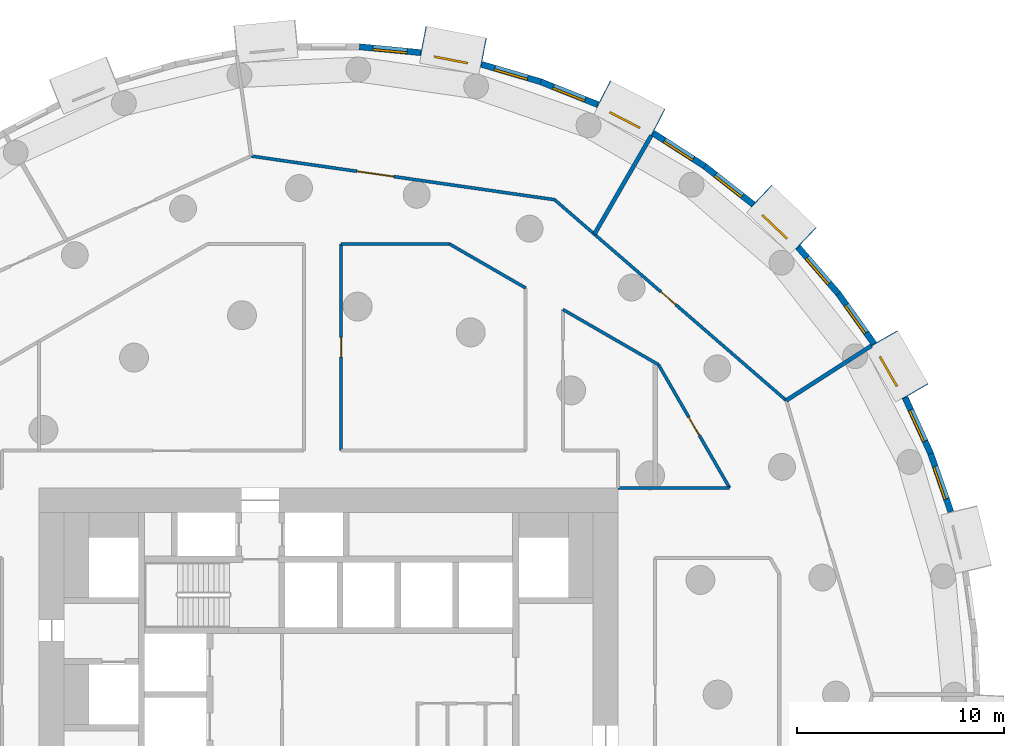
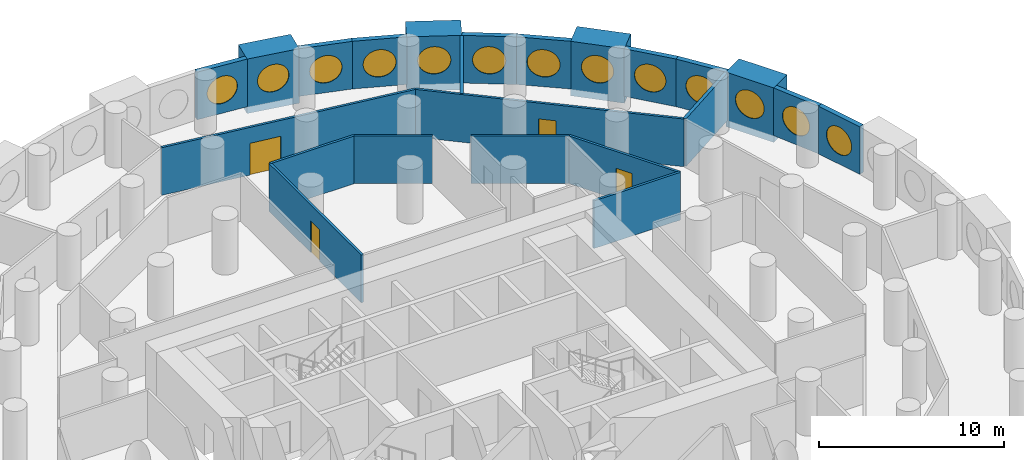
# One storey, part 9 of 11: 23 walls, 13 windows, 4 doors, 17 openings.
"""IFC4 building model written with IfcOpenShell, lengths in metres."""

import ifcopenshell
import ifcopenshell.guid

model = None  # the IFC model being written
_history = None  # IfcOwnerHistory: only IFC2X3 demands one
_inside = {}  # id of a spatial element -> (the spatial element, [elements in it])
_under = {}  # id of a project, library or spatial element -> (it, [spatial elements below it])
_declared = {}  # id of a project -> (the project, [libraries it declares])
_typed = {}  # id of a type object -> (the type object, [elements of that type])
_made_of = {}  # id of a material, layer set ... -> (it, [elements and type objects made of it])


def new_model(schema):
    """Start an empty IFC model of exactly this schema.

    Asked for "IFC4X3", IfcOpenShell would pick the latest addendum, in which some entities
    have other attributes; the version numbers below select the first issue.
    IFC2X3 requires an IfcOwnerHistory on every rooted entity: one is made here for all.
    """
    global model, _history
    if schema == "IFC4X3":
        model = ifcopenshell.file(schema_version=(4, 3, 0, 0))
    else:
        model = ifcopenshell.file(schema=schema)
    _inside.clear()
    _under.clear()
    _declared.clear()
    _typed.clear()
    _made_of.clear()
    _history = None
    if model.schema == "IFC2X3":
        org = make("IfcOrganization", Name="unknown")
        user = make(
            "IfcPersonAndOrganization",
            ThePerson=make("IfcPerson", FamilyName="unknown"),
            TheOrganization=org,
        )
        app = make(
            "IfcApplication",
            ApplicationDeveloper=org,
            Version="unknown",
            ApplicationFullName="unknown",
            ApplicationIdentifier="unknown",
        )
        _history = make(
            "IfcOwnerHistory",
            OwningUser=user,
            OwningApplication=app,
            ChangeAction="ADDED",
            CreationDate=0,
        )
    return model


def make(cls, **values):
    """One entity of the class cls with the attributes given. An attribute that is None is left unset."""
    return model.create_entity(
        cls, **{name: value for name, value in values.items() if value is not None}
    )


def rooted(cls, **values):
    """An entity with a GlobalId (a new one), such as an element, a storey or a relation."""
    return make(cls, GlobalId=ifcopenshell.guid.new(), OwnerHistory=_history, **values)


def si_unit(unit_type, name, prefix=None):
    """IfcSIUnit, for example si_unit("LENGTHUNIT", "METRE", prefix="MILLI")."""
    return make("IfcSIUnit", UnitType=unit_type, Prefix=prefix, Name=name)


def assignment(units):
    """IfcUnitAssignment: the units of a project."""
    return None if units is None else make("IfcUnitAssignment", Units=units)


def point(xyz):
    """IfcCartesianPoint."""
    return None if xyz is None else make("IfcCartesianPoint", Coordinates=xyz)


def direction(xyz):
    """IfcDirection."""
    return None if xyz is None else make("IfcDirection", DirectionRatios=xyz)


def frame(location, z_axis=None, x_axis=None):
    """IfcAxis2Placement3D, a coordinate frame: its origin and axes. An axis left out is left unset."""
    return make(
        "IfcAxis2Placement3D",
        Location=point(location),
        Axis=direction(z_axis),
        RefDirection=direction(x_axis),
    )


def frame_2d(location, x_axis=None):
    """IfcAxis2Placement2D, a coordinate frame in the plane: its origin and x axis."""
    return make(
        "IfcAxis2Placement2D", Location=point(location), RefDirection=direction(x_axis)
    )


def origin():
    """The frame at (0, 0, 0) with its axes left unset."""
    return frame((0.0, 0.0, 0.0))


def origin_2d():
    """The frame at (0, 0) in the plane with its x axis left unset."""
    return frame_2d((0.0, 0.0))


def place(relative_to, where):
    """IfcLocalPlacement: puts the frame where relative to a parent placement (None: the world)."""
    return make(
        "IfcLocalPlacement", PlacementRelTo=relative_to, RelativePlacement=where
    )


def context(
    kind, dimensions, precision=None, world=None, true_north=None, identifier=None
):
    """IfcGeometricRepresentationContext, for example the 3D "Model" context."""
    return make(
        "IfcGeometricRepresentationContext",
        ContextIdentifier=identifier,
        ContextType=kind,
        CoordinateSpaceDimension=dimensions,
        Precision=precision,
        WorldCoordinateSystem=world,
        TrueNorth=true_north,
    )


def subcontext(parent, identifier, kind, view, scale=None):
    """IfcGeometricRepresentationSubContext, for example "Body" below "Model"."""
    return make(
        "IfcGeometricRepresentationSubContext",
        ContextIdentifier=identifier,
        ContextType=kind,
        ParentContext=parent,
        TargetScale=scale,
        TargetView=view,
    )


def project(units=None, contexts=None):
    """IfcProject with its units and contexts."""
    return rooted(
        "IfcProject",
        Name="project",
        RepresentationContexts=contexts,
        UnitsInContext=assignment(units),
    )


def spatial(cls, under=None, at=None, **own):
    """A site, building, storey or space (cls), placed at a placement, below another one or the project."""
    s = rooted(cls, ObjectPlacement=at, **own)
    if under is not None:
        _under.setdefault(under.id(), (under, []))[1].append(s)
    return s


def profile(cls, at=None, kind="AREA", **sizes):
    """A parametric profile (cls). Its sizes go by their IFC names, for example OverallWidth=200.0."""
    return make(cls, ProfileType=kind, Position=at, **sizes)


def rectangle(**sizes):
    """IfcRectangleProfileDef."""
    return profile("IfcRectangleProfileDef", **sizes)


def circle(**sizes):
    """IfcCircleProfileDef."""
    return profile("IfcCircleProfileDef", **sizes)


def extrude(swept, where, along, depth):
    """IfcExtrudedAreaSolid: the profile swept, set in the frame where, extruded along a direction by depth."""
    return make(
        "IfcExtrudedAreaSolid",
        SweptArea=swept,
        Position=where,
        ExtrudedDirection=direction(along),
        Depth=depth,
    )


def shape(context_of_items, identifier, shape_type, items):
    """IfcShapeRepresentation: the items that make up one representation, for example the "Body"."""
    return make(
        "IfcShapeRepresentation",
        ContextOfItems=context_of_items,
        RepresentationIdentifier=identifier,
        RepresentationType=shape_type,
        Items=items,
    )


def material(Name=None, Category=None):
    """IfcMaterial."""
    return make("IfcMaterial", Name=Name, Category=Category)


def layer(
    of_material, thickness, ventilated=None, Name=None, Category=None, Priority=None
):
    """IfcMaterialLayer: one layer of a wall or slab, of a material (None: an air gap)."""
    return make(
        "IfcMaterialLayer",
        Material=of_material,
        LayerThickness=thickness,
        IsVentilated=ventilated,
        Name=Name,
        Category=Category,
        Priority=Priority,
    )


def layer_set(layers, Name=None):
    """IfcMaterialLayerSet."""
    return make("IfcMaterialLayerSet", MaterialLayers=layers, LayerSetName=Name)


def made_of(thing, what):
    """Note that an element or type object is made of a material, layer set ...; save() writes the relation."""
    if what is not None:
        _made_of.setdefault(what.id(), (what, []))[1].append(thing)
    return thing


def type_object(cls, material=None, **own):
    """A type object (cls), such as IfcWallType, which elements share."""
    return made_of(rooted(cls, **own), material)


def element(
    cls,
    number,
    at=None,
    inside=None,
    cuts=None,
    type_object=None,
    material=None,
    context=None,
    identifier="Body",
    shape_type=None,
    held_by="IfcProductDefinitionShape",
    body=None,
    shapes=None,
    **own,
):
    """One element of the class cls, such as IfcWall. Its Tag is "e" and its number.

    at: its placement. inside: the storey or other place that contains it. cuts: it is an
    opening in that element (IfcRelVoidsElement). A single representation is given by context,
    identifier, shape_type and body (its items); several are given by shapes. held_by: the class
    of the entity that holds the representations. save() writes the other relations.
    """
    e = rooted(cls, Tag="e%d" % number, ObjectPlacement=at, **own)
    if body is not None:
        shapes = [shape(context, identifier, shape_type, body)]
    if shapes is not None:
        e.Representation = make(held_by, Representations=shapes)
    if inside is not None:
        _inside.setdefault(inside.id(), (inside, []))[1].append(e)
    if cuts is not None:
        rooted(
            "IfcRelVoidsElement", RelatingBuildingElement=cuts, RelatedOpeningElement=e
        )
    if type_object is not None:
        _typed.setdefault(type_object.id(), (type_object, []))[1].append(e)
    return made_of(e, material)


def fill(opening, filler):
    """IfcRelFillsElement: the door or window that sits in an opening."""
    return rooted(
        "IfcRelFillsElement",
        RelatingOpeningElement=opening,
        RelatedBuildingElement=filler,
    )


def aggregate(whole, parts):
    """IfcRelAggregates: a whole, such as a stair, and the parts it consists of."""
    return rooted("IfcRelAggregates", RelatingObject=whole, RelatedObjects=parts)


def save(model, path):
    """Write the relations noted so far, then the file.

    IfcRelAggregates (storeys below a building ...), IfcRelContainedInSpatialStructure (elements
    in a storey), IfcRelDefinesByType, IfcRelAssociatesMaterial and IfcRelDeclares: one each for
    every whole, place, type object, material and project.
    """
    for whole, parts in _under.values():
        aggregate(whole, parts)
    for where, things in _inside.values():
        rooted(
            "IfcRelContainedInSpatialStructure",
            RelatedElements=things,
            RelatingStructure=where,
        )
    for kind, things in _typed.values():
        rooted("IfcRelDefinesByType", RelatedObjects=things, RelatingType=kind)
    for what, things in _made_of.values():
        rooted("IfcRelAssociatesMaterial", RelatedObjects=things, RelatingMaterial=what)
    for by, libraries in _declared.values():
        rooted("IfcRelDeclares", RelatingContext=by, RelatedDefinitions=libraries)
    model.write(path)


model = new_model("IFC4")

# Units and contexts
model_context = context("Model", 3, precision=1e-05, world=origin(), true_north=direction((0.0, 1.0)))
body_context = subcontext(model_context, "Body", "Model", "MODEL_VIEW")
ifc_project = project(units=[si_unit("LENGTHUNIT", "METRE"), si_unit("AREAUNIT", "SQUARE_METRE"), si_unit("VOLUMEUNIT", "CUBIC_METRE"), si_unit("PLANEANGLEUNIT", "RADIAN"), si_unit("MASSUNIT", "GRAM", prefix="KILO")], contexts=[model_context])

# Site, building, storey
site_placement = place(None, origin())
site = spatial("IfcSite", under=ifc_project, at=site_placement, CompositionType="ELEMENT")
building_placement = place(site_placement, origin())
building = spatial("IfcBuilding", under=site, at=building_placement, Name="Tracery Tower", CompositionType="ELEMENT")
storey_placement = place(building_placement, frame((0.0, 0.0, 64.199951171875)))
storey = spatial("IfcBuildingStorey", under=building, at=storey_placement, Name="L15", CompositionType="ELEMENT", Elevation=64.199951171875)

# Wall, opening, window
ifc_material_1 = material(Name="Precast concrete C50/60", Category="concrete")
ifc_layer_1 = layer(ifc_material_1, 1.449951171875)
ifc_layer_set_1 = layer_set([ifc_layer_1], Name="Deep-set bay unit 3000 x 3600, slab edge 450")
wall_type_1 = type_object("IfcWallType", Name="Deep-set bay unit 3000 x 3600, slab edge 450", PredefinedType="ELEMENTEDWALL", material=ifc_layer_set_1)
wall_1_placement = place(storey_placement, frame((28.38818359375, 14.657958984375, -0.449951171875), z_axis=(0.0, 0.0, 1.0), x_axis=(-0.499990139034, 0.866031096941, 0.0)))
wall_1 = element("IfcWall", 1, at=wall_1_placement, inside=storey, type_object=wall_type_1, Name="Deep-set bay unit 6 at L15", PredefinedType="ELEMENTEDWALL", context=body_context, shape_type="SweptSolid", body=[
    extrude(rectangle(XDim=3.0, YDim=1.449951171875, at=frame_2d((1.5, 0.0))), origin(), (0.0, 0.0, 1.0), 3.60009765625),
])
opening_1_placement = place(wall_1_placement, frame((1.5, 0.0, 2.0)))
opening_1 = element("IfcOpeningElement", 2, at=opening_1_placement, cuts=wall_1, Name="Opening WN1", PredefinedType="OPENING", context=body_context, shape_type="SweptSolid", body=[
    extrude(circle(Radius=0.9000244140625, at=origin_2d()), frame((0.0, 0.73486328125, 0.0), z_axis=(0.0, -1.0, 0.0), x_axis=(1.0, 0.0, 0.0)), (0.0, 0.0, 1.0), 1.469970703125),
])
ifc_material_2 = material(Name="Aluminium frame with tinted double glazing", Category="aluminium")
window_type = type_object("IfcWindowType", Name="Round window 1800", PartitioningType="SINGLE_PANEL", PredefinedType="WINDOW", material=ifc_material_2)
window_1_placement = place(opening_1_placement, origin())
window_1 = element("IfcWindow", 3, at=window_1_placement, inside=storey, type_object=window_type, Name="Round window 6 at L15", OverallHeight=1.800048828125, OverallWidth=1.800048828125, PartitioningType="SINGLE_PANEL", PredefinedType="WINDOW", context=body_context, shape_type="SweptSolid", body=[
    extrude(circle(Radius=0.9000244140625, at=origin_2d()), frame((0.0, 0.69482421875, 0.0), z_axis=(0.0, -1.0, 0.0), x_axis=(1.0, 0.0, 0.0)), (0.0, 0.0, 1.0), 0.10009765625),
])
fill(opening_1, window_1)

wall_2_placement = place(storey_placement, frame((23.108642578125, 22.06201171875, -0.449951171875), z_axis=(0.0, 0.0, 1.0), x_axis=(-0.723712023899, 0.690102098579, 0.0)))
wall_2 = element("IfcWall", 4, at=wall_2_placement, inside=storey, type_object=wall_type_1, Name="Deep-set bay unit 9 at L15", PredefinedType="ELEMENTEDWALL", context=body_context, shape_type="SweptSolid", body=[
    extrude(rectangle(XDim=3.0, YDim=1.449951171875, at=frame_2d((1.5, 0.0))), origin(), (0.0, 0.0, 1.0), 3.60009765625),
])
opening_2_placement = place(wall_2_placement, frame((1.5, 0.0, 2.0)))
opening_2 = element("IfcOpeningElement", 5, at=opening_2_placement, cuts=wall_2, Name="Opening WN1", PredefinedType="OPENING", context=body_context, shape_type="SweptSolid", body=[
    extrude(circle(Radius=0.9000244140625, at=origin_2d()), frame((0.0, 0.73486328125, 0.0), z_axis=(0.0, -1.0, 0.0), x_axis=(1.0, 0.0, 0.0)), (0.0, 0.0, 1.0), 1.469970703125),
])
window_2_placement = place(opening_2_placement, origin())
window_2 = element("IfcWindow", 6, at=window_2_placement, inside=storey, type_object=window_type, Name="Round window 9 at L15", OverallHeight=1.800048828125, OverallWidth=1.800048828125, PartitioningType="SINGLE_PANEL", PredefinedType="WINDOW", context=body_context, shape_type="SweptSolid", body=[
    extrude(circle(Radius=0.9000244140625, at=origin_2d()), frame((0.0, 0.69482421875, 0.0), z_axis=(0.0, -1.0, 0.0), x_axis=(1.0, 0.0, 0.0)), (0.0, 0.0, 1.0), 0.10009765625),
])
fill(opening_2, window_2)

wall_3_placement = place(storey_placement, frame((15.95703125, 27.678955078125, -0.449951171875), z_axis=(0.0, 0.0, 1.0), x_axis=(-0.888858064689, 0.458182650083, 0.0)))
wall_3 = element("IfcWall", 7, at=wall_3_placement, inside=storey, type_object=wall_type_1, Name="Deep-set bay unit 12 at L15", PredefinedType="ELEMENTEDWALL", context=body_context, shape_type="SweptSolid", body=[
    extrude(rectangle(XDim=3.0, YDim=1.449951171875, at=frame_2d((1.5, 0.0))), origin(), (0.0, 0.0, 1.0), 3.60009765625),
])
opening_3_placement = place(wall_3_placement, frame((1.5, 0.0, 2.0)))
opening_3 = element("IfcOpeningElement", 8, at=opening_3_placement, cuts=wall_3, Name="Opening WN1", PredefinedType="OPENING", context=body_context, shape_type="SweptSolid", body=[
    extrude(circle(Radius=0.9000244140625, at=origin_2d()), frame((0.0, 0.73486328125, 0.0), z_axis=(0.0, -1.0, 0.0), x_axis=(1.0, 0.0, 0.0)), (0.0, 0.0, 1.0), 1.469970703125),
])
window_3_placement = place(opening_3_placement, origin())
window_3 = element("IfcWindow", 9, at=window_3_placement, inside=storey, type_object=window_type, Name="Round window 12 at L15", OverallHeight=1.800048828125, OverallWidth=1.800048828125, PartitioningType="SINGLE_PANEL", PredefinedType="WINDOW", context=body_context, shape_type="SweptSolid", body=[
    extrude(circle(Radius=0.9000244140625, at=origin_2d()), frame((0.0, 0.69482421875, 0.0), z_axis=(0.0, -1.0, 0.0), x_axis=(1.0, 0.0, 0.0)), (0.0, 0.0, 1.0), 0.10009765625),
])
fill(opening_3, window_3)

wall_4_placement = place(storey_placement, frame((7.5126953125, 31.05322265625, -0.449951171875), z_axis=(0.0, 0.0, 1.0), x_axis=(-0.981921602273, 0.189288052949, 0.0)))
wall_4 = element("IfcWall", 10, at=wall_4_placement, inside=storey, type_object=wall_type_1, Name="Deep-set bay unit 15 at L15", PredefinedType="ELEMENTEDWALL", context=body_context, shape_type="SweptSolid", body=[
    extrude(rectangle(XDim=3.0, YDim=1.449951171875, at=frame_2d((1.5, 0.0))), origin(), (0.0, 0.0, 1.0), 3.60009765625),
])
opening_4_placement = place(wall_4_placement, frame((1.5, 0.0, 2.0)))
opening_4 = element("IfcOpeningElement", 11, at=opening_4_placement, cuts=wall_4, Name="Opening WN1", PredefinedType="OPENING", context=body_context, shape_type="SweptSolid", body=[
    extrude(circle(Radius=0.9000244140625, at=origin_2d()), frame((0.0, 0.73486328125, 0.0), z_axis=(0.0, -1.0, 0.0), x_axis=(1.0, 0.0, 0.0)), (0.0, 0.0, 1.0), 1.469970703125),
])
window_4_placement = place(opening_4_placement, origin())
window_4 = element("IfcWindow", 12, at=window_4_placement, inside=storey, type_object=window_type, Name="Round window 15 at L15", OverallHeight=1.800048828125, OverallWidth=1.800048828125, PartitioningType="SINGLE_PANEL", PredefinedType="WINDOW", context=body_context, shape_type="SweptSolid", body=[
    extrude(circle(Radius=0.9000244140625, at=origin_2d()), frame((0.0, 0.69482421875, 0.0), z_axis=(0.0, -1.0, 0.0), x_axis=(1.0, 0.0, 0.0)), (0.0, 0.0, 1.0), 0.10009765625),
])
fill(opening_4, window_4)

ifc_material_3 = material(Name="Precast concrete C50/60", Category="concrete")
ifc_layer_2 = layer(ifc_material_3, 0.300048828125)
ifc_layer_set_2 = layer_set([ifc_layer_2], Name="Facade panel 3000 x 3150")
wall_type_2 = type_object("IfcWallType", Name="Facade panel 3000 x 3150", PredefinedType="SOLIDWALL", material=ifc_layer_set_2)
wall_5_placement = place(storey_placement, frame((30.1015625, 8.844970703125, 0.0), z_axis=(0.0, 0.0, 1.0), x_axis=(-0.327096492592, 0.944990944154, 0.0)))
wall_5 = element("IfcWall", 13, at=wall_5_placement, inside=storey, type_object=wall_type_2, Name="Facade panel 4 at L15", PredefinedType="SOLIDWALL", context=body_context, shape_type="SweptSolid", body=[
    extrude(rectangle(XDim=2.9794921875, YDim=0.300048828125, at=frame_2d((1.48974609375, 0.0))), origin(), (0.0, 0.0, 1.0), 3.150146484375),
])
opening_5_placement = place(wall_5_placement, frame((1.48974609375, 0.0, 1.5498046875)))
opening_5 = element("IfcOpeningElement", 14, at=opening_5_placement, cuts=wall_5, Name="Opening WN1", PredefinedType="OPENING", context=body_context, shape_type="SweptSolid", body=[
    extrude(circle(Radius=0.9000244140625, at=origin_2d()), frame((0.0, 0.159912109375, 0.0), z_axis=(0.0, -1.0, 0.0), x_axis=(1.0, 0.0, 0.0)), (0.0, 0.0, 1.0), 0.320068359375),
])
window_5_placement = place(opening_5_placement, origin())
window_5 = element("IfcWindow", 15, at=window_5_placement, inside=storey, type_object=window_type, Name="Round window 4 at L15", OverallHeight=1.800048828125, OverallWidth=1.800048828125, PartitioningType="SINGLE_PANEL", PredefinedType="WINDOW", context=body_context, shape_type="SweptSolid", body=[
    extrude(circle(Radius=0.9000244140625, at=origin_2d()), frame((0.0, 0.1201171875, 0.0), z_axis=(0.0, -1.0, 0.0), x_axis=(1.0, 0.0, 0.0)), (0.0, 0.0, 1.0), 0.10009765625),
])
fill(opening_5, window_5)

wall_6_placement = place(storey_placement, frame((29.126953125, 11.66064453125, 0.0), z_axis=(0.0, 0.0, 1.0), x_axis=(-0.415407317162, 0.909635509888, 0.0)))
wall_6 = element("IfcWall", 16, at=wall_6_placement, inside=storey, type_object=wall_type_2, Name="Facade panel 5 at L15", PredefinedType="SOLIDWALL", context=body_context, shape_type="SweptSolid", body=[
    extrude(rectangle(XDim=2.979736328125, YDim=0.300048828125, at=frame_2d((1.48974609375, 0.0))), origin(), (0.0, 0.0, 1.0), 3.150146484375),
])
opening_6_placement = place(wall_6_placement, frame((1.48974609375, 0.0, 1.5498046875)))
opening_6 = element("IfcOpeningElement", 17, at=opening_6_placement, cuts=wall_6, Name="Opening WN1", PredefinedType="OPENING", context=body_context, shape_type="SweptSolid", body=[
    extrude(circle(Radius=0.9000244140625, at=origin_2d()), frame((0.0, 0.159912109375, 0.0), z_axis=(0.0, -1.0, 0.0), x_axis=(1.0, 0.0, 0.0)), (0.0, 0.0, 1.0), 0.320068359375),
])
window_6_placement = place(opening_6_placement, origin())
window_6 = element("IfcWindow", 18, at=window_6_placement, inside=storey, type_object=window_type, Name="Round window 5 at L15", OverallHeight=1.800048828125, OverallWidth=1.800048828125, PartitioningType="SINGLE_PANEL", PredefinedType="WINDOW", context=body_context, shape_type="SweptSolid", body=[
    extrude(circle(Radius=0.9000244140625, at=origin_2d()), frame((0.0, 0.1201171875, 0.0), z_axis=(0.0, -1.0, 0.0), x_axis=(1.0, 0.0, 0.0)), (0.0, 0.0, 1.0), 0.10009765625),
])
fill(opening_6, window_6)

wall_7_placement = place(storey_placement, frame((26.390380859375, 16.96728515625, 0.0), z_axis=(0.0, 0.0, 1.0), x_axis=(-0.580113774115, 0.814535456, 0.0)))
wall_7 = element("IfcWall", 19, at=wall_7_placement, inside=storey, type_object=wall_type_2, Name="Facade panel 7 at L15", PredefinedType="SOLIDWALL", context=body_context, shape_type="SweptSolid", body=[
    extrude(rectangle(XDim=2.979736328125, YDim=0.300048828125, at=frame_2d((1.48974609375, 0.0))), origin(), (0.0, 0.0, 1.0), 3.150146484375),
])
opening_7_placement = place(wall_7_placement, frame((1.48974609375, 0.0, 1.5498046875)))
opening_7 = element("IfcOpeningElement", 20, at=opening_7_placement, cuts=wall_7, Name="Opening WN1", PredefinedType="OPENING", context=body_context, shape_type="SweptSolid", body=[
    extrude(circle(Radius=0.9000244140625, at=origin_2d()), frame((0.0, 0.159912109375, 0.0), z_axis=(0.0, -1.0, 0.0), x_axis=(1.0, 0.0, 0.0)), (0.0, 0.0, 1.0), 0.320068359375),
])
window_7_placement = place(opening_7_placement, origin())
window_7 = element("IfcWindow", 21, at=window_7_placement, inside=storey, type_object=window_type, Name="Round window 7 at L15", OverallHeight=1.800048828125, OverallWidth=1.800048828125, PartitioningType="SINGLE_PANEL", PredefinedType="WINDOW", context=body_context, shape_type="SweptSolid", body=[
    extrude(circle(Radius=0.9000244140625, at=origin_2d()), frame((0.0, 0.1201171875, 0.0), z_axis=(0.0, -1.0, 0.0), x_axis=(1.0, 0.0, 0.0)), (0.0, 0.0, 1.0), 0.10009765625),
])
fill(opening_7, window_7)

wall_8_placement = place(storey_placement, frame((24.661865234375, 19.394287109375, 0.0), z_axis=(0.0, 0.0, 1.0), x_axis=(-0.654830712471, 0.755775587066, 0.0)))
wall_8 = element("IfcWall", 22, at=wall_8_placement, inside=storey, type_object=wall_type_2, Name="Facade panel 8 at L15", PredefinedType="SOLIDWALL", context=body_context, shape_type="SweptSolid", body=[
    extrude(rectangle(XDim=2.979736328125, YDim=0.300048828125, at=frame_2d((1.48974609375, 0.0))), origin(), (0.0, 0.0, 1.0), 3.150146484375),
])
opening_8_placement = place(wall_8_placement, frame((1.48974609375, 0.0, 1.5498046875)))
opening_8 = element("IfcOpeningElement", 23, at=opening_8_placement, cuts=wall_8, Name="Opening WN1", PredefinedType="OPENING", context=body_context, shape_type="SweptSolid", body=[
    extrude(circle(Radius=0.9000244140625, at=origin_2d()), frame((0.0, 0.159912109375, 0.0), z_axis=(0.0, -1.0, 0.0), x_axis=(1.0, 0.0, 0.0)), (0.0, 0.0, 1.0), 0.320068359375),
])
window_8_placement = place(opening_8_placement, origin())
window_8 = element("IfcWindow", 24, at=window_8_placement, inside=storey, type_object=window_type, Name="Round window 8 at L15", OverallHeight=1.800048828125, OverallWidth=1.800048828125, PartitioningType="SINGLE_PANEL", PredefinedType="WINDOW", context=body_context, shape_type="SweptSolid", body=[
    extrude(circle(Radius=0.9000244140625, at=origin_2d()), frame((0.0, 0.1201171875, 0.0), z_axis=(0.0, -1.0, 0.0), x_axis=(1.0, 0.0, 0.0)), (0.0, 0.0, 1.0), 0.10009765625),
])
fill(opening_8, window_8)

wall_9_placement = place(storey_placement, frame((20.541015625, 23.715087890625, 0.0), z_axis=(0.0, 0.0, 1.0), x_axis=(-0.786053834673, 0.618158045322, 0.0)))
wall_9 = element("IfcWall", 25, at=wall_9_placement, inside=storey, type_object=wall_type_2, Name="Facade panel 10 at L15", PredefinedType="SOLIDWALL", context=body_context, shape_type="SweptSolid", body=[
    extrude(rectangle(XDim=2.9794921875, YDim=0.300048828125, at=frame_2d((1.48974609375, 0.0))), origin(), (0.0, 0.0, 1.0), 3.150146484375),
])
opening_9_placement = place(wall_9_placement, frame((1.48974609375, 0.0, 1.5498046875)))
opening_9 = element("IfcOpeningElement", 26, at=opening_9_placement, cuts=wall_9, Name="Opening WN1", PredefinedType="OPENING", context=body_context, shape_type="SweptSolid", body=[
    extrude(circle(Radius=0.9000244140625, at=origin_2d()), frame((0.0, 0.159912109375, 0.0), z_axis=(0.0, -1.0, 0.0), x_axis=(1.0, 0.0, 0.0)), (0.0, 0.0, 1.0), 0.320068359375),
])
window_9_placement = place(opening_9_placement, origin())
window_9 = element("IfcWindow", 27, at=window_9_placement, inside=storey, type_object=window_type, Name="Round window 10 at L15", OverallHeight=1.800048828125, OverallWidth=1.800048828125, PartitioningType="SINGLE_PANEL", PredefinedType="WINDOW", context=body_context, shape_type="SweptSolid", body=[
    extrude(circle(Radius=0.9000244140625, at=origin_2d()), frame((0.0, 0.1201171875, 0.0), z_axis=(0.0, -1.0, 0.0), x_axis=(1.0, 0.0, 0.0)), (0.0, 0.0, 1.0), 0.10009765625),
])
fill(opening_9, window_9)

wall_10_placement = place(storey_placement, frame((18.198974609375, 25.556884765625, 0.0), z_axis=(0.0, 0.0, 1.0), x_axis=(-0.841260995538, 0.54062920508, 0.0)))
wall_10 = element("IfcWall", 28, at=wall_10_placement, inside=storey, type_object=wall_type_2, Name="Facade panel 11 at L15", PredefinedType="SOLIDWALL", context=body_context, shape_type="SweptSolid", body=[
    extrude(rectangle(XDim=2.9794921875, YDim=0.300048828125, at=frame_2d((1.48974609375, 0.0))), origin(), (0.0, 0.0, 1.0), 3.150146484375),
])
opening_10_placement = place(wall_10_placement, frame((1.48974609375, 0.0, 1.5498046875)))
opening_10 = element("IfcOpeningElement", 29, at=opening_10_placement, cuts=wall_10, Name="Opening WN1", PredefinedType="OPENING", context=body_context, shape_type="SweptSolid", body=[
    extrude(circle(Radius=0.9000244140625, at=origin_2d()), frame((0.0, 0.159912109375, 0.0), z_axis=(0.0, -1.0, 0.0), x_axis=(1.0, 0.0, 0.0)), (0.0, 0.0, 1.0), 0.320068359375),
])
window_10_placement = place(opening_10_placement, origin())
window_10 = element("IfcWindow", 30, at=window_10_placement, inside=storey, type_object=window_type, Name="Round window 11 at L15", OverallHeight=1.800048828125, OverallWidth=1.800048828125, PartitioningType="SINGLE_PANEL", PredefinedType="WINDOW", context=body_context, shape_type="SweptSolid", body=[
    extrude(circle(Radius=0.9000244140625, at=origin_2d()), frame((0.0, 0.1201171875, 0.0), z_axis=(0.0, -1.0, 0.0), x_axis=(1.0, 0.0, 0.0)), (0.0, 0.0, 1.0), 0.10009765625),
])
fill(opening_10, window_10)

wall_11_placement = place(storey_placement, frame((13.02783203125, 28.54150390625, 0.0), z_axis=(0.0, 0.0, 1.0), x_axis=(-0.928374947, 0.371644935098, 0.0)))
wall_11 = element("IfcWall", 31, at=wall_11_placement, inside=storey, type_object=wall_type_2, Name="Facade panel 13 at L15", PredefinedType="SOLIDWALL", context=body_context, shape_type="SweptSolid", body=[
    extrude(rectangle(XDim=2.979736328125, YDim=0.300048828125, at=frame_2d((1.48974609375, 0.0))), origin(), (0.0, 0.0, 1.0), 3.150146484375),
])
opening_11_placement = place(wall_11_placement, frame((1.48974609375, 0.0, 1.5498046875)))
opening_11 = element("IfcOpeningElement", 32, at=opening_11_placement, cuts=wall_11, Name="Opening WN1", PredefinedType="OPENING", context=body_context, shape_type="SweptSolid", body=[
    extrude(circle(Radius=0.9000244140625, at=origin_2d()), frame((0.0, 0.159912109375, 0.0), z_axis=(0.0, -1.0, 0.0), x_axis=(1.0, 0.0, 0.0)), (0.0, 0.0, 1.0), 0.320068359375),
])
window_11_placement = place(opening_11_placement, origin())
window_11 = element("IfcWindow", 33, at=window_11_placement, inside=storey, type_object=window_type, Name="Round window 13 at L15", OverallHeight=1.800048828125, OverallWidth=1.800048828125, PartitioningType="SINGLE_PANEL", PredefinedType="WINDOW", context=body_context, shape_type="SweptSolid", body=[
    extrude(circle(Radius=0.9000244140625, at=origin_2d()), frame((0.0, 0.1201171875, 0.0), z_axis=(0.0, -1.0, 0.0), x_axis=(1.0, 0.0, 0.0)), (0.0, 0.0, 1.0), 0.10009765625),
])
fill(opening_11, window_11)

wall_12_placement = place(storey_placement, frame((10.261474609375, 29.64892578125, 0.0), z_axis=(0.0, 0.0, 1.0), x_axis=(-0.959501085144, 0.281704930036, 0.0)))
wall_12 = element("IfcWall", 34, at=wall_12_placement, inside=storey, type_object=wall_type_2, Name="Facade panel 14 at L15", PredefinedType="SOLIDWALL", context=body_context, shape_type="SweptSolid", body=[
    extrude(rectangle(XDim=2.9794921875, YDim=0.300048828125, at=frame_2d((1.48974609375, 0.0))), origin(), (0.0, 0.0, 1.0), 3.150146484375),
])
opening_12_placement = place(wall_12_placement, frame((1.48974609375, 0.0, 1.5498046875)))
opening_12 = element("IfcOpeningElement", 35, at=opening_12_placement, cuts=wall_12, Name="Opening WN1", PredefinedType="OPENING", context=body_context, shape_type="SweptSolid", body=[
    extrude(circle(Radius=0.9000244140625, at=origin_2d()), frame((0.0, 0.159912109375, 0.0), z_axis=(0.0, -1.0, 0.0), x_axis=(1.0, 0.0, 0.0)), (0.0, 0.0, 1.0), 0.320068359375),
])
window_12_placement = place(opening_12_placement, origin())
window_12 = element("IfcWindow", 36, at=window_12_placement, inside=storey, type_object=window_type, Name="Round window 14 at L15", OverallHeight=1.800048828125, OverallWidth=1.800048828125, PartitioningType="SINGLE_PANEL", PredefinedType="WINDOW", context=body_context, shape_type="SweptSolid", body=[
    extrude(circle(Radius=0.9000244140625, at=origin_2d()), frame((0.0, 0.1201171875, 0.0), z_axis=(0.0, -1.0, 0.0), x_axis=(1.0, 0.0, 0.0)), (0.0, 0.0, 1.0), 0.10009765625),
])
fill(opening_12, window_12)

wall_13_placement = place(storey_placement, frame((4.458984375, 31.0556640625, 0.0), z_axis=(0.0, 0.0, 1.0), x_axis=(-0.995472611385, 0.095048829468, 0.0)))
wall_13 = element("IfcWall", 37, at=wall_13_placement, inside=storey, type_object=wall_type_2, Name="Facade panel 16 at L15", PredefinedType="SOLIDWALL", context=body_context, shape_type="SweptSolid", body=[
    extrude(rectangle(XDim=2.9794921875, YDim=0.300048828125, at=frame_2d((1.48974609375, 0.0))), origin(), (0.0, 0.0, 1.0), 3.150146484375),
])
opening_13_placement = place(wall_13_placement, frame((1.48974609375, 0.0, 1.5498046875)))
opening_13 = element("IfcOpeningElement", 38, at=opening_13_placement, cuts=wall_13, Name="Opening WN1", PredefinedType="OPENING", context=body_context, shape_type="SweptSolid", body=[
    extrude(circle(Radius=0.9000244140625, at=origin_2d()), frame((0.0, 0.159912109375, 0.0), z_axis=(0.0, -1.0, 0.0), x_axis=(1.0, 0.0, 0.0)), (0.0, 0.0, 1.0), 0.320068359375),
])
window_13_placement = place(opening_13_placement, origin())
window_13 = element("IfcWindow", 39, at=window_13_placement, inside=storey, type_object=window_type, Name="Round window 16 at L15", OverallHeight=1.800048828125, OverallWidth=1.800048828125, PartitioningType="SINGLE_PANEL", PredefinedType="WINDOW", context=body_context, shape_type="SweptSolid", body=[
    extrude(circle(Radius=0.9000244140625, at=origin_2d()), frame((0.0, 0.1201171875, 0.0), z_axis=(0.0, -1.0, 0.0), x_axis=(1.0, 0.0, 0.0)), (0.0, 0.0, 1.0), 0.10009765625),
])
fill(opening_13, window_13)

# Wall
ifc_material_4 = material(Name="Plasterboard on steel studs", Category="steel")
ifc_layer_3 = layer(ifc_material_4, 0.14990234375)
ifc_layer_set_3 = layer_set([ifc_layer_3], Name="Partition 150 corridor wall")
wall_type_3 = type_object("IfcWallType", Name="Partition 150 corridor wall", PredefinedType="PARTITIONING", material=ifc_layer_set_3)
wall_14_placement = place(storey_placement, frame((14.0, 10.0, 0.0), z_axis=(0.0, 0.0, 1.0), x_axis=(1.0, 0.0, 0.0)))
element("IfcWall", 40, at=wall_14_placement, inside=storey, type_object=wall_type_3, Name="Corridor wall RA4-011", PredefinedType="PARTITIONING", context=body_context, shape_type="SweptSolid", body=[
    extrude(rectangle(XDim=5.40087890625, YDim=0.14990234375, at=frame_2d((2.700439453125, 0.0))), origin(), (0.0, 0.0, 1.0), 3.150146484375),
])

# Wall, opening, door
wall_15_placement = place(storey_placement, frame((15.9599609375, 15.9599609375, 0.0), z_axis=(0.0, 0.0, 1.0), x_axis=(0.499992689227, -0.86602962462, 0.0)))
wall_15 = element("IfcWall", 41, at=wall_15_placement, inside=storey, type_object=wall_type_3, Name="Corridor wall RA4-020", PredefinedType="PARTITIONING", context=body_context, shape_type="SweptSolid", body=[
    extrude(rectangle(XDim=6.8818359375, YDim=0.14990234375, at=frame_2d((3.44091796875, 0.0))), origin(), (0.0, 0.0, 1.0), 3.150146484375),
])
opening_14_placement = place(wall_15_placement, frame((2.94091796875, 0.0, 0.0)))
opening_14 = element("IfcOpeningElement", 42, at=opening_14_placement, cuts=wall_15, Name="Opening RA4-09", PredefinedType="OPENING", context=body_context, shape_type="SweptSolid", body=[
    extrude(rectangle(XDim=1.0, YDim=2.0400390625, at=frame_2d((0.5, 1.02001953125))), frame((0.0, 0.074951171875, 0.0), z_axis=(0.0, -1.0, 0.0), x_axis=(1.0, 0.0, 0.0)), (0.0, 0.0, 1.0), 0.14990234375),
])
ifc_material_5 = material(Name="Timber door leaf", Category="wood")
door_type_1 = type_object("IfcDoorType", Name="Door communal room 1000", OperationType="NOTDEFINED", PredefinedType="DOOR", material=ifc_material_5)
door_1_placement = place(opening_14_placement, origin())
door_1 = element("IfcDoor", 43, at=door_1_placement, inside=storey, type_object=door_type_1, Name="Communal room door RA4-09", OperationType="SINGLE_SWING_LEFT", OverallHeight=2.0400390625, OverallWidth=1.0, PredefinedType="DOOR", context=body_context, shape_type="SweptSolid", body=[
    extrude(rectangle(XDim=1.0, YDim=2.0400390625, at=frame_2d((0.5, 1.02001953125))), frame((0.0, 0.02490234375, 0.0), z_axis=(0.0, -1.0, 0.0), x_axis=(1.0, 0.0, 0.0)), (0.0, 0.0, 1.0), 0.050048828125),
])
fill(opening_14, door_1)

wall_16_placement = place(storey_placement, frame((10.93310546875, 23.940185546875, 0.0), z_axis=(0.0, 0.0, 1.0), x_axis=(0.755770011705, -0.654837147242, 0.0)))
wall_16 = element("IfcWall", 44, at=wall_16_placement, inside=storey, type_object=wall_type_3, Name="Corridor wall RA4-023", PredefinedType="PARTITIONING", context=body_context, shape_type="SweptSolid", body=[
    extrude(rectangle(XDim=14.829833984375, YDim=0.14990234375, at=frame_2d((7.4150390625, 0.0))), origin(), (0.0, 0.0, 1.0), 3.150146484375),
])
opening_15_placement = place(wall_16_placement, frame((6.807373046875, 0.0, 0.0)))
opening_15 = element("IfcOpeningElement", 45, at=opening_15_placement, cuts=wall_16, Name="Opening RA4-14", PredefinedType="OPENING", context=body_context, shape_type="SweptSolid", body=[
    extrude(rectangle(XDim=0.949951171875, YDim=2.10009765625, at=frame_2d((0.47509765625, 1.050048828125))), frame((0.0, 0.074951171875, 0.0), z_axis=(0.0, -1.0, 0.0), x_axis=(1.0, 0.0, 0.0)), (0.0, 0.0, 1.0), 0.14990234375),
])
ifc_material_6 = material(Name="Timber door leaf", Category="wood")
door_type_2 = type_object("IfcDoorType", Name="Door store 950", OperationType="NOTDEFINED", PredefinedType="DOOR", material=ifc_material_6)
door_2_placement = place(opening_15_placement, origin())
door_2 = element("IfcDoor", 46, at=door_2_placement, inside=storey, type_object=door_type_2, Name="Store door RA4-14", OperationType="SINGLE_SWING_RIGHT", OverallHeight=2.10009765625, OverallWidth=0.949951171875, PredefinedType="DOOR", context=body_context, shape_type="SweptSolid", body=[
    extrude(rectangle(XDim=0.949951171875, YDim=2.10009765625, at=frame_2d((0.47509765625, 1.050048828125))), frame((0.0, 0.02490234375, 0.0), z_axis=(0.0, -1.0, 0.0), x_axis=(1.0, 0.0, 0.0)), (0.0, 0.0, 1.0), 0.050048828125),
])
fill(opening_15, door_2)

# Walls
wall_17_placement = place(storey_placement, frame((5.842041015625, 21.802001953125, 0.0), z_axis=(0.0, 0.0, 1.0), x_axis=(0.865983505205, -0.500072563448, 0.0)))
element("IfcWall", 47, at=wall_17_placement, inside=storey, type_object=wall_type_3, Name="Corridor wall RA4-030", PredefinedType="PARTITIONING", context=body_context, shape_type="SweptSolid", body=[
    extrude(rectangle(XDim=4.265380859375, YDim=0.14990234375, at=frame_2d((2.1328125, 0.0))), origin(), (0.0, 0.0, 1.0), 3.150146484375),
])
wall_18_placement = place(storey_placement, frame((0.60791015625, 21.802001953125, 0.0), z_axis=(0.0, 0.0, 1.0), x_axis=(1.0, 0.0, 0.0)))
element("IfcWall", 48, at=wall_18_placement, inside=storey, type_object=wall_type_3, Name="Corridor wall RA4-031", PredefinedType="PARTITIONING", context=body_context, shape_type="SweptSolid", body=[
    extrude(rectangle(XDim=5.234130859375, YDim=0.14990234375, at=frame_2d((2.6171875, 0.0))), origin(), (0.0, 0.0, 1.0), 3.150146484375),
])

# Wall, opening, door
wall_19_placement = place(storey_placement, frame((0.60791015625, 11.800048828125, 0.0), z_axis=(0.0, 0.0, 1.0), x_axis=(0.0, 1.0, 0.0)))
wall_19 = element("IfcWall", 49, at=wall_19_placement, inside=storey, type_object=wall_type_3, Name="Corridor wall RA4-032", PredefinedType="PARTITIONING", context=body_context, shape_type="SweptSolid", body=[
    extrude(rectangle(XDim=10.001953125, YDim=0.14990234375, at=frame_2d((5.0009765625, 0.0))), origin(), (0.0, 0.0, 1.0), 3.150146484375),
])
opening_16_placement = place(wall_19_placement, frame((4.52587890625, 0.0, 0.0)))
opening_16 = element("IfcOpeningElement", 50, at=opening_16_placement, cuts=wall_19, Name="Opening RA4-02", PredefinedType="OPENING", context=body_context, shape_type="SweptSolid", body=[
    extrude(rectangle(XDim=0.949951171875, YDim=2.10009765625, at=frame_2d((0.47509765625, 1.050048828125))), frame((0.0, 0.074951171875, 0.0), z_axis=(0.0, -1.0, 0.0), x_axis=(1.0, 0.0, 0.0)), (0.0, 0.0, 1.0), 0.14990234375),
])
door_3_placement = place(opening_16_placement, origin())
door_3 = element("IfcDoor", 51, at=door_3_placement, inside=storey, type_object=door_type_2, Name="Store door RA4-02", OperationType="SINGLE_SWING_RIGHT", OverallHeight=2.10009765625, OverallWidth=0.949951171875, PredefinedType="DOOR", context=body_context, shape_type="SweptSolid", body=[
    extrude(rectangle(XDim=0.949951171875, YDim=2.10009765625, at=frame_2d((0.47509765625, 1.050048828125))), frame((0.0, 0.02490234375, 0.0), z_axis=(0.0, -1.0, 0.0), x_axis=(1.0, 0.0, 0.0)), (0.0, 0.0, 1.0), 0.050048828125),
])
fill(opening_16, door_3)

# Wall
wall_20_placement = place(storey_placement, frame((11.3359375, 18.6298828125, 0.0), z_axis=(0.0, 0.0, 1.0), x_axis=(0.866056911224, -0.499945423543, 0.0)))
element("IfcWall", 52, at=wall_20_placement, inside=storey, type_object=wall_type_3, Name="Corridor wall RA4-033", PredefinedType="PARTITIONING", context=body_context, shape_type="SweptSolid", body=[
    extrude(rectangle(XDim=5.33935546875, YDim=0.14990234375, at=frame_2d((2.669677734375, 0.0))), origin(), (0.0, 0.0, 1.0), 3.150146484375),
])

# Wall, opening, door
wall_21_placement = place(storey_placement, frame((-3.74609375, 26.051025390625, 0.0), z_axis=(0.0, 0.0, 1.0), x_axis=(0.98981637125, -0.142350100825, 0.0)))
wall_21 = element("IfcWall", 53, at=wall_21_placement, inside=storey, type_object=wall_type_3, Name="Corridor wall RA4-035", PredefinedType="PARTITIONING", context=body_context, shape_type="SweptSolid", body=[
    extrude(rectangle(XDim=14.830322265625, YDim=0.14990234375, at=frame_2d((7.4150390625, 0.0))), origin(), (0.0, 0.0, 1.0), 3.150146484375),
])
opening_17_placement = place(wall_21_placement, frame((5.1650390625, 0.0, 0.0)))
opening_17 = element("IfcOpeningElement", 54, at=opening_17_placement, cuts=wall_21, Name="Opening RA4-15", PredefinedType="OPENING", context=body_context, shape_type="SweptSolid", body=[
    extrude(rectangle(XDim=1.800048828125, YDim=2.10009765625, at=frame_2d((0.89990234375, 1.050048828125))), frame((0.0, 0.074951171875, 0.0), z_axis=(0.0, -1.0, 0.0), x_axis=(1.0, 0.0, 0.0)), (0.0, 0.0, 1.0), 0.14990234375),
])
ifc_material_7 = material(Name="Timber door leaf", Category="wood")
door_type_3 = type_object("IfcDoorType", Name="Door double lounge 1800", OperationType="NOTDEFINED", PredefinedType="DOOR", material=ifc_material_7)
door_4_placement = place(opening_17_placement, origin())
door_4 = element("IfcDoor", 55, at=door_4_placement, inside=storey, type_object=door_type_3, Name="Double lounge door RA4-15", OperationType="DOUBLE_DOOR_SINGLE_SWING", OverallHeight=2.10009765625, OverallWidth=1.800048828125, PredefinedType="DOOR", context=body_context, shape_type="SweptSolid", body=[
    extrude(rectangle(XDim=1.800048828125, YDim=2.10009765625, at=frame_2d((0.89990234375, 1.050048828125))), frame((0.0, 0.02490234375, 0.0), z_axis=(0.0, -1.0, 0.0), x_axis=(1.0, 0.0, 0.0)), (0.0, 0.0, 1.0), 0.050048828125),
])
fill(opening_17, door_4)

# Walls
ifc_material_8 = material(Name="Plasterboard on steel studs", Category="steel")
ifc_layer_4 = layer(ifc_material_8, 0.199951171875)
ifc_layer_set_4 = layer_set([ifc_layer_4], Name="Partition 200 compartment wall")
wall_type_4 = type_object("IfcWallType", Name="Partition 200 compartment wall", PredefinedType="PARTITIONING", material=ifc_layer_set_4)
wall_22_placement = place(storey_placement, frame((22.14111328125, 14.22900390625, 0.0), z_axis=(0.0, 0.0, 1.0), x_axis=(0.841265781699, 0.540621757371, 0.0)))
element("IfcWall", 56, at=wall_22_placement, inside=storey, type_object=wall_type_4, Name="Compartment wall RA4-065", PredefinedType="PARTITIONING", context=body_context, shape_type="SweptSolid", body=[
    extrude(rectangle(XDim=4.90576171875, YDim=0.199951171875, at=frame_2d((2.452880859375, 0.0))), origin(), (0.0, 0.0, 1.0), 3.150146484375),
])
wall_23_placement = place(storey_placement, frame((12.85888671875, 22.27197265625, 0.0), z_axis=(0.0, 0.0, 1.0), x_axis=(0.499968073049, 0.866043836033, 0.0)))
element("IfcWall", 57, at=wall_23_placement, inside=storey, type_object=wall_type_4, Name="Compartment wall RA4-067", PredefinedType="PARTITIONING", context=body_context, shape_type="SweptSolid", body=[
    extrude(rectangle(XDim=5.506591796875, YDim=0.199951171875, at=frame_2d((2.75341796875, 0.0))), origin(), (0.0, 0.0, 1.0), 3.150146484375),
])

save(model, "model.ifc")
